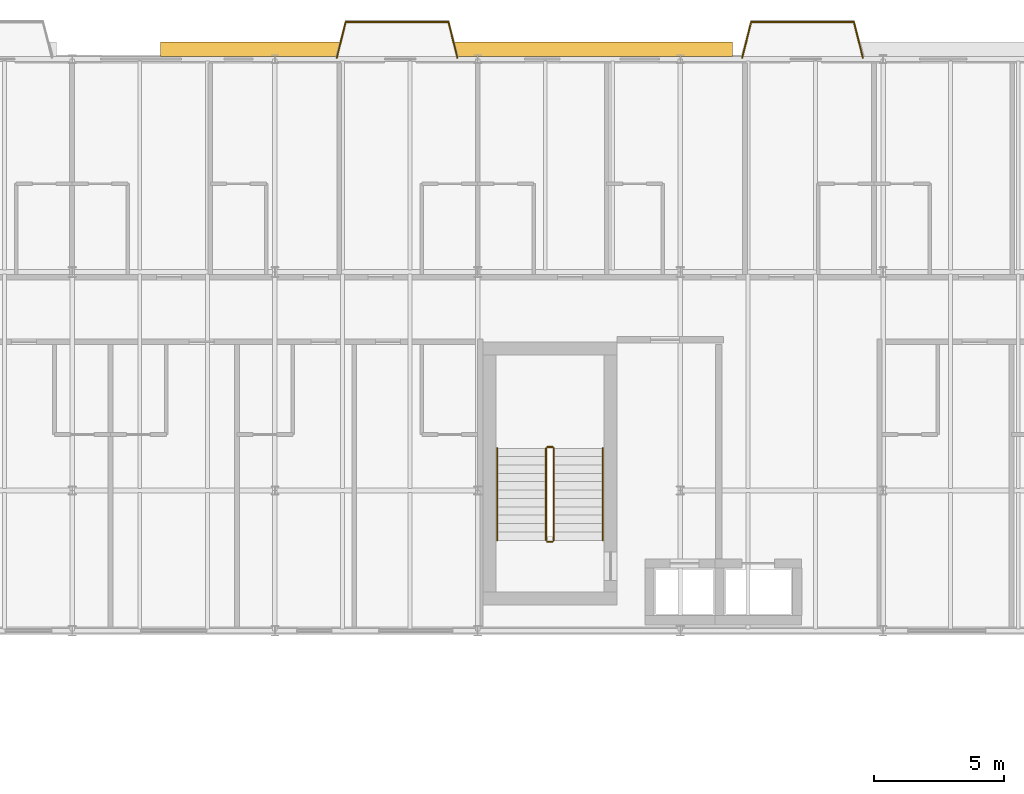
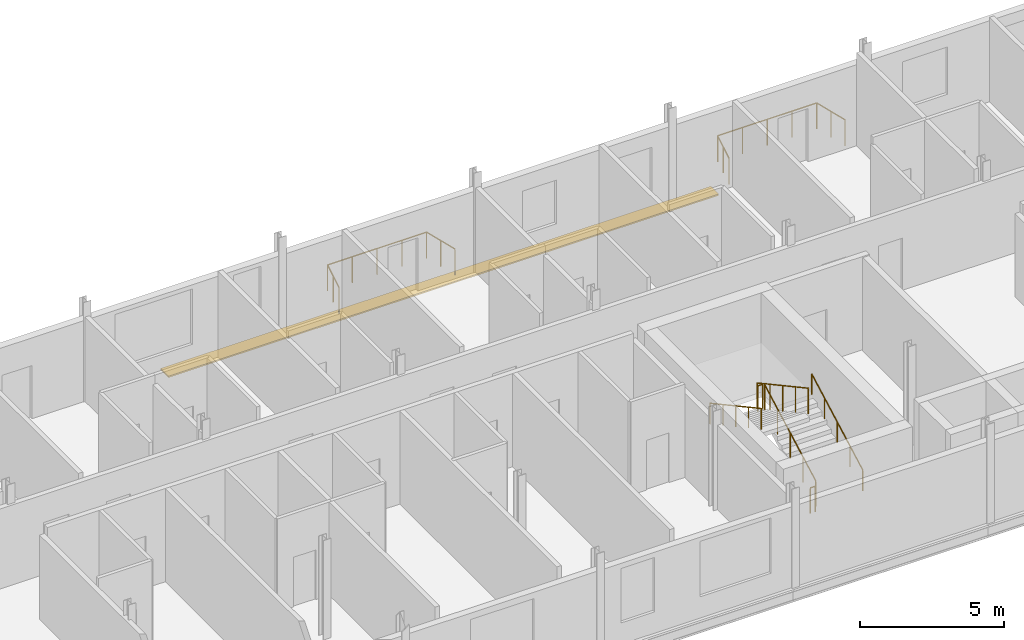
# One storey, part 21 of 22: 12 railings, 1 shading device.
"""IFC4 building model written with IfcOpenShell, lengths in metres."""

from ifc_helpers import new_model, si_unit, direction, frame, origin, origin_2d, place, context, subcontext, project, spatial, rectangle, circle, extrude, material, layer, layer_set, type_object, element, save


model = new_model("IFC4")

# Units and contexts
model_context = context("Model", 3, precision=1e-05, world=origin(), true_north=direction((0.0, 1.0)))
body_context = subcontext(model_context, "Body", "Model", "MODEL_VIEW")
ifc_project = project(units=[si_unit("LENGTHUNIT", "METRE"), si_unit("AREAUNIT", "SQUARE_METRE"), si_unit("VOLUMEUNIT", "CUBIC_METRE"), si_unit("PLANEANGLEUNIT", "RADIAN"), si_unit("MASSUNIT", "GRAM", prefix="KILO")], contexts=[model_context])

# Site, building, storey
site_placement = place(None, origin())
site = spatial("IfcSite", under=ifc_project, at=site_placement, CompositionType="ELEMENT")
building_placement = place(site_placement, origin())
building = spatial("IfcBuilding", under=site, at=building_placement, Name="Sefraquen Railside Congress Hotel", CompositionType="ELEMENT")
storey_placement = place(building_placement, frame((0.0, 0.0, 42.60009765625)))
storey = spatial("IfcBuildingStorey", under=building, at=storey_placement, Name="L10", CompositionType="ELEMENT", Elevation=42.60009765625)

# Railings
ifc_material_1 = material(Name="Patinated wrought architectural bronze", Category="metal")
railing_type_1 = type_object("IfcRailingType", Name="TRL-BAL-110", PredefinedType="BALUSTRADE", material=ifc_material_1)
railing_1_placement = place(storey_placement, frame((58.780029296875, 118.050048828125, 0.0)))
element("IfcRailing", 1, at=railing_1_placement, inside=storey, type_object=railing_type_1, Name="Guest balcony Art Nouveau balustrade L10-03", PredefinedType="BALUSTRADE", context=body_context, shape_type="SweptSolid", body=[
    extrude(circle(Radius=0.02392578125, at=origin_2d()), frame((0.0, 0.0, 1.09619140625), z_axis=(0.240948040829, 0.970538016577, 0.0), x_axis=(-0.970538016577, 0.240948040829, 0.0)), (0.0, 0.0, 1.0), 1.411376953125),
    extrude(circle(Radius=0.02099609375, at=origin_2d()), origin(), (0.0, 0.0, 1.0), 1.072021484375),
    extrude(circle(Radius=0.02099609375, at=origin_2d()), frame((0.169921875, 0.68505859375, 0.0)), (0.0, 0.0, 1.0), 1.072021484375),
    extrude(circle(Radius=0.02099609375, at=origin_2d()), frame((0.340087890625, 1.369873046875, 0.0)), (0.0, 0.0, 1.0), 1.072021484375),
])
railing_2_placement = place(storey_placement, frame((59.1201171875, 119.419921875, 0.0)))
element("IfcRailing", 2, at=railing_2_placement, inside=storey, type_object=railing_type_1, Name="Guest balcony Art Nouveau balustrade L10-03", PredefinedType="BALUSTRADE", context=body_context, shape_type="SweptSolid", body=[
    extrude(circle(Radius=0.02392578125, at=origin_2d()), frame((0.0, 0.0, 1.09619140625), z_axis=(1.0, 0.0, 0.0), x_axis=(0.0, 1.0, 0.0)), (0.0, 0.0, 1.0), 3.9599609375),
    extrude(circle(Radius=0.02099609375, at=origin_2d()), origin(), (0.0, 0.0, 1.0), 1.072021484375),
    extrude(circle(Radius=0.02099609375, at=origin_2d()), frame((0.989990234375, 0.0, 0.0)), (0.0, 0.0, 1.0), 1.072021484375),
    extrude(circle(Radius=0.02099609375, at=origin_2d()), frame((1.97998046875, 0.0, 0.0)), (0.0, 0.0, 1.0), 1.072021484375),
    extrude(circle(Radius=0.02099609375, at=origin_2d()), frame((2.969970703125, 0.0, 0.0)), (0.0, 0.0, 1.0), 1.072021484375),
    extrude(circle(Radius=0.02099609375, at=origin_2d()), frame((3.9599609375, 0.0, 0.0)), (0.0, 0.0, 1.0), 1.072021484375),
])
railing_3_placement = place(storey_placement, frame((63.080078125, 119.419921875, 0.0)))
element("IfcRailing", 3, at=railing_3_placement, inside=storey, type_object=railing_type_1, Name="Guest balcony Art Nouveau balustrade L10-03", PredefinedType="BALUSTRADE", context=body_context, shape_type="SweptSolid", body=[
    extrude(circle(Radius=0.02392578125, at=origin_2d()), frame((0.0, 0.0, 1.09619140625), z_axis=(0.240785102022, -0.970578453627, 0.0), x_axis=(0.970578453627, 0.240785102022, 0.0)), (0.0, 0.0, 1.0), 1.411376953125),
    extrude(circle(Radius=0.02099609375, at=origin_2d()), origin(), (0.0, 0.0, 1.0), 1.072021484375),
    extrude(circle(Radius=0.02099609375, at=origin_2d()), frame((0.169921875, -0.68505859375, 0.0)), (0.0, 0.0, 1.0), 1.072021484375),
    extrude(circle(Radius=0.02099609375, at=origin_2d()), frame((0.33984375, -1.369873046875, 0.0)), (0.0, 0.0, 1.0), 1.072021484375),
])
railing_4_placement = place(storey_placement, frame((74.3798828125, 118.050048828125, 0.0)))
element("IfcRailing", 4, at=railing_4_placement, inside=storey, type_object=railing_type_1, Name="Guest balcony Art Nouveau balustrade L10-04", PredefinedType="BALUSTRADE", context=body_context, shape_type="SweptSolid", body=[
    extrude(circle(Radius=0.02392578125, at=origin_2d()), frame((0.0, 0.0, 1.09619140625), z_axis=(0.240948040829, 0.970538016577, 0.0), x_axis=(-0.970538016577, 0.240948040829, 0.0)), (0.0, 0.0, 1.0), 1.411376953125),
    extrude(circle(Radius=0.02099609375, at=origin_2d()), origin(), (0.0, 0.0, 1.0), 1.072021484375),
    extrude(circle(Radius=0.02099609375, at=origin_2d()), frame((0.169921875, 0.68505859375, 0.0)), (0.0, 0.0, 1.0), 1.072021484375),
    extrude(circle(Radius=0.02099609375, at=origin_2d()), frame((0.340087890625, 1.369873046875, 0.0)), (0.0, 0.0, 1.0), 1.072021484375),
])
railing_5_placement = place(storey_placement, frame((74.719970703125, 119.419921875, 0.0)))
element("IfcRailing", 5, at=railing_5_placement, inside=storey, type_object=railing_type_1, Name="Guest balcony Art Nouveau balustrade L10-04", PredefinedType="BALUSTRADE", context=body_context, shape_type="SweptSolid", body=[
    extrude(circle(Radius=0.02392578125, at=origin_2d()), frame((0.0, 0.0, 1.09619140625), z_axis=(1.0, 0.0, 0.0), x_axis=(0.0, 1.0, 0.0)), (0.0, 0.0, 1.0), 3.9599609375),
    extrude(circle(Radius=0.02099609375, at=origin_2d()), origin(), (0.0, 0.0, 1.0), 1.072021484375),
    extrude(circle(Radius=0.02099609375, at=origin_2d()), frame((0.989990234375, 0.0, 0.0)), (0.0, 0.0, 1.0), 1.072021484375),
    extrude(circle(Radius=0.02099609375, at=origin_2d()), frame((1.97998046875, 0.0, 0.0)), (0.0, 0.0, 1.0), 1.072021484375),
    extrude(circle(Radius=0.02099609375, at=origin_2d()), frame((2.969970703125, 0.0, 0.0)), (0.0, 0.0, 1.0), 1.072021484375),
    extrude(circle(Radius=0.02099609375, at=origin_2d()), frame((3.9599609375, 0.0, 0.0)), (0.0, 0.0, 1.0), 1.072021484375),
])
railing_6_placement = place(storey_placement, frame((78.679931640625, 119.419921875, 0.0)))
element("IfcRailing", 6, at=railing_6_placement, inside=storey, type_object=railing_type_1, Name="Guest balcony Art Nouveau balustrade L10-04", PredefinedType="BALUSTRADE", context=body_context, shape_type="SweptSolid", body=[
    extrude(circle(Radius=0.02392578125, at=origin_2d()), frame((0.0, 0.0, 1.09619140625), z_axis=(0.240948040829, -0.970538016577, 0.0), x_axis=(0.970538016577, 0.240948040829, 0.0)), (0.0, 0.0, 1.0), 1.411376953125),
    extrude(circle(Radius=0.02099609375, at=origin_2d()), origin(), (0.0, 0.0, 1.0), 1.072021484375),
    extrude(circle(Radius=0.02099609375, at=origin_2d()), frame((0.169921875, -0.68505859375, 0.0)), (0.0, 0.0, 1.0), 1.072021484375),
    extrude(circle(Radius=0.02099609375, at=origin_2d()), frame((0.340087890625, -1.369873046875, 0.0)), (0.0, 0.0, 1.0), 1.072021484375),
])
railing_7_placement = place(storey_placement, frame((67.1298828125, 99.47998046875, 0.1748046875)))
element("IfcRailing", 7, at=railing_7_placement, inside=storey, type_object=railing_type_1, Name="L10 ST-H03 stair guard 1", PredefinedType="BALUSTRADE", context=body_context, shape_type="SweptSolid", body=[
    extrude(circle(Radius=0.02392578125, at=origin_2d()), frame((0.0, 0.0, 1.076171875), z_axis=(0.0, 0.878618985891, 0.477523483854), x_axis=(-1.0, 0.0, 0.0)), (0.0, 0.0, 1.0), 4.03125),
    extrude(circle(Radius=0.02099609375, at=origin_2d()), origin(), (0.0, 0.0, 1.0), 1.052001953125),
    extrude(circle(Radius=0.02099609375, at=origin_2d()), frame((0.0, 0.885498046875, 0.481201171875)), (0.0, 0.0, 1.0), 1.052001953125),
    extrude(circle(Radius=0.02099609375, at=origin_2d()), frame((0.0, 1.77099609375, 0.96240234375)), (0.0, 0.0, 1.0), 1.052001953125),
    extrude(circle(Radius=0.02099609375, at=origin_2d()), frame((0.0, 2.656494140625, 1.44384765625)), (0.0, 0.0, 1.0), 1.052001953125),
    extrude(circle(Radius=0.02099609375, at=origin_2d()), frame((0.0, 3.5419921875, 1.925048828125)), (0.0, 0.0, 1.0), 1.052001953125),
])
railing_8_placement = place(storey_placement, frame((67.080078125, 103.072021484375, 2.099853515625)))
element("IfcRailing", 8, at=railing_8_placement, inside=storey, type_object=railing_type_1, Name="L10 ST-H03 stair guard 2", PredefinedType="BALUSTRADE", context=body_context, shape_type="SweptSolid", body=[
    extrude(circle(Radius=0.02392578125, at=origin_2d()), frame((0.0, 0.0, 1.076171875), z_axis=(-1.0, 0.0, 0.0), x_axis=(0.0, -1.0, 0.0)), (0.0, 0.0, 1.0), 0.2001953125),
    extrude(circle(Radius=0.02099609375, at=origin_2d()), origin(), (0.0, 0.0, 1.0), 1.052001953125),
    extrude(circle(Radius=0.02099609375, at=origin_2d()), frame((-0.2001953125, 0.0, 0.0)), (0.0, 0.0, 1.0), 1.052001953125),
])
railing_9_placement = place(storey_placement, frame((66.830078125, 103.02197265625, 2.27490234375)))
element("IfcRailing", 9, at=railing_9_placement, inside=storey, type_object=railing_type_1, Name="L10 ST-H03 stair guard 3", PredefinedType="BALUSTRADE", context=body_context, shape_type="SweptSolid", body=[
    extrude(circle(Radius=0.02392578125, at=origin_2d()), frame((0.0, 0.0, 1.076171875), z_axis=(0.0, -0.878618985891, 0.477523483854), x_axis=(1.0, 0.0, 0.0)), (0.0, 0.0, 1.0), 4.03125),
    extrude(circle(Radius=0.02099609375, at=origin_2d()), origin(), (0.0, 0.0, 1.0), 1.052001953125),
    extrude(circle(Radius=0.02099609375, at=origin_2d()), frame((0.0, -0.885498046875, 0.481201171875)), (0.0, 0.0, 1.0), 1.052001953125),
    extrude(circle(Radius=0.02099609375, at=origin_2d()), frame((0.0, -1.77099609375, 0.96240234375)), (0.0, 0.0, 1.0), 1.052001953125),
    extrude(circle(Radius=0.02099609375, at=origin_2d()), frame((0.0, -2.656494140625, 1.44384765625)), (0.0, 0.0, 1.0), 1.052001953125),
    extrude(circle(Radius=0.02099609375, at=origin_2d()), frame((0.0, -3.5419921875, 1.925048828125)), (0.0, 0.0, 1.0), 1.052001953125),
])
railing_10_placement = place(storey_placement, frame((67.080078125, 99.429931640625, 0.0)))
element("IfcRailing", 10, at=railing_10_placement, inside=storey, type_object=railing_type_1, Name="L10 ST-H03 stair guard 4", PredefinedType="BALUSTRADE", context=body_context, shape_type="SweptSolid", body=[
    extrude(circle(Radius=0.02392578125, at=origin_2d()), frame((0.0, 0.0, 1.076171875), z_axis=(-1.0, 0.0, 0.0), x_axis=(0.0, -1.0, 0.0)), (0.0, 0.0, 1.0), 0.2001953125),
    extrude(circle(Radius=0.02099609375, at=origin_2d()), origin(), (0.0, 0.0, 1.0), 1.052001953125),
    extrude(circle(Radius=0.02099609375, at=origin_2d()), frame((-0.2001953125, 0.0, 0.0)), (0.0, 0.0, 1.0), 1.052001953125),
])
railing_type_2 = type_object("IfcRailingType", Name="TRL-HR-090", PredefinedType="HANDRAIL", material=ifc_material_1)
railing_11_placement = place(storey_placement, frame((69.010009765625, 99.47998046875, 0.1748046875)))
element("IfcRailing", 11, at=railing_11_placement, inside=storey, type_object=railing_type_2, Name="L10 ST-H03 stair handrail 1", PredefinedType="HANDRAIL", context=body_context, shape_type="SweptSolid", body=[
    extrude(circle(Radius=0.02392578125, at=origin_2d()), frame((0.0, 0.0, 0.8759765625), z_axis=(0.0, 0.878618985891, 0.477523483854), x_axis=(-1.0, 0.0, 0.0)), (0.0, 0.0, 1.0), 4.03125),
    extrude(circle(Radius=0.02099609375, at=origin_2d()), origin(), (0.0, 0.0, 1.0), 0.851806640625),
    extrude(circle(Radius=0.02099609375, at=origin_2d()), frame((0.0, 0.885498046875, 0.481201171875)), (0.0, 0.0, 1.0), 0.851806640625),
    extrude(circle(Radius=0.02099609375, at=origin_2d()), frame((0.0, 1.77099609375, 0.96240234375)), (0.0, 0.0, 1.0), 0.851806640625),
    extrude(circle(Radius=0.02099609375, at=origin_2d()), frame((0.0, 2.656494140625, 1.44384765625)), (0.0, 0.0, 1.0), 0.851806640625),
    extrude(circle(Radius=0.02099609375, at=origin_2d()), frame((0.0, 3.5419921875, 1.925048828125)), (0.0, 0.0, 1.0), 0.851806640625),
])
railing_12_placement = place(storey_placement, frame((64.949951171875, 103.02197265625, 2.27490234375)))
element("IfcRailing", 12, at=railing_12_placement, inside=storey, type_object=railing_type_2, Name="L10 ST-H03 stair handrail 2", PredefinedType="HANDRAIL", context=body_context, shape_type="SweptSolid", body=[
    extrude(circle(Radius=0.02392578125, at=origin_2d()), frame((0.0, 0.0, 0.8759765625), z_axis=(0.0, -0.878618985891, 0.477523483854), x_axis=(1.0, 0.0, 0.0)), (0.0, 0.0, 1.0), 4.03125),
    extrude(circle(Radius=0.02099609375, at=origin_2d()), origin(), (0.0, 0.0, 1.0), 0.851806640625),
    extrude(circle(Radius=0.02099609375, at=origin_2d()), frame((0.0, -0.885498046875, 0.481201171875)), (0.0, 0.0, 1.0), 0.851806640625),
    extrude(circle(Radius=0.02099609375, at=origin_2d()), frame((0.0, -1.77099609375, 0.96240234375)), (0.0, 0.0, 1.0), 0.851806640625),
    extrude(circle(Radius=0.02099609375, at=origin_2d()), frame((0.0, -2.656494140625, 1.44384765625)), (0.0, 0.0, 1.0), 0.851806640625),
    extrude(circle(Radius=0.02099609375, at=origin_2d()), frame((0.0, -3.5419921875, 1.925048828125)), (0.0, 0.0, 1.0), 0.851806640625),
])

# Shading device
ifc_material_2 = material(Name="Patinated architectural bronze", Category="metal")
ifc_layer = layer(ifc_material_2, 0.06005859375)
ifc_layer_set = layer_set([ifc_layer], Name="Patinated architectural bronze")
shading_device_type = type_object("IfcShadingDeviceType", Name="TSH-BS-01", PredefinedType="USERDEFINED", material=ifc_layer_set)
shading_device_placement = place(storey_placement, frame((63.0, 118.3798828125, -0.380126953125), z_axis=(0.0, 0.0, 1.0), x_axis=(1.0, 0.0, 0.0)))
element("IfcShadingDevice", 13, at=shading_device_placement, inside=storey, type_object=shading_device_type, Name="Hotel North Boulevard window sunshade L10-2", ObjectType="BRISE SOLEIL", PredefinedType="USERDEFINED", context=body_context, shape_type="SweptSolid", body=[
    extrude(rectangle(XDim=22.0, YDim=0.550048828125, at=origin_2d()), origin(), (0.0, 0.0, 1.0), 0.06005859375),
])

save(model, "model.ifc")
